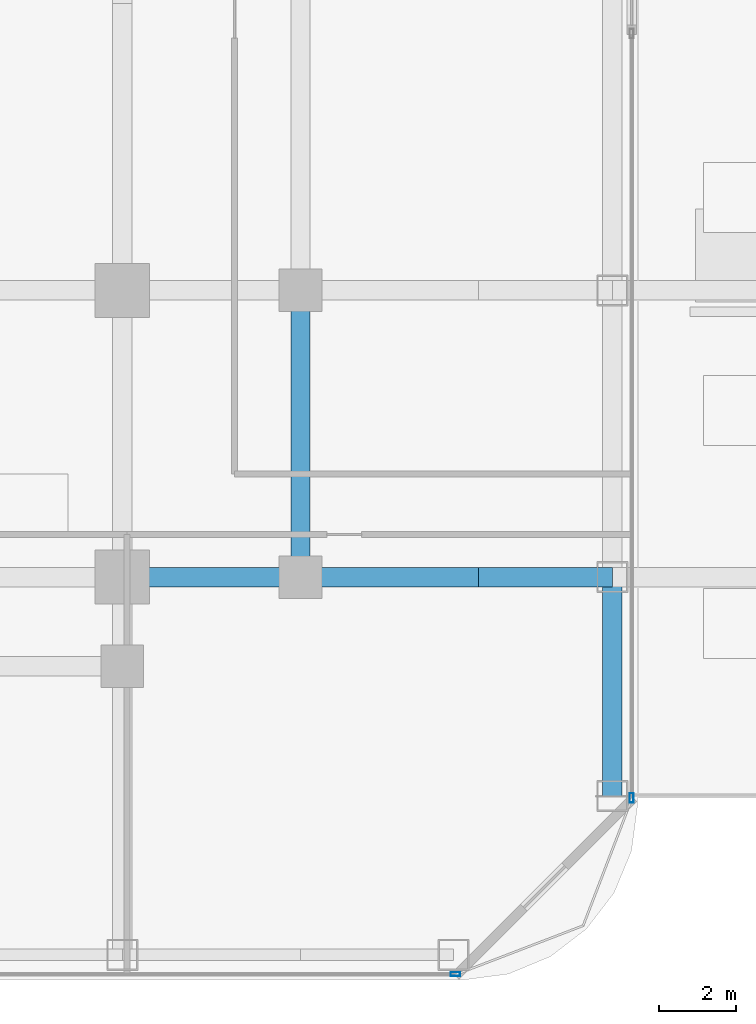
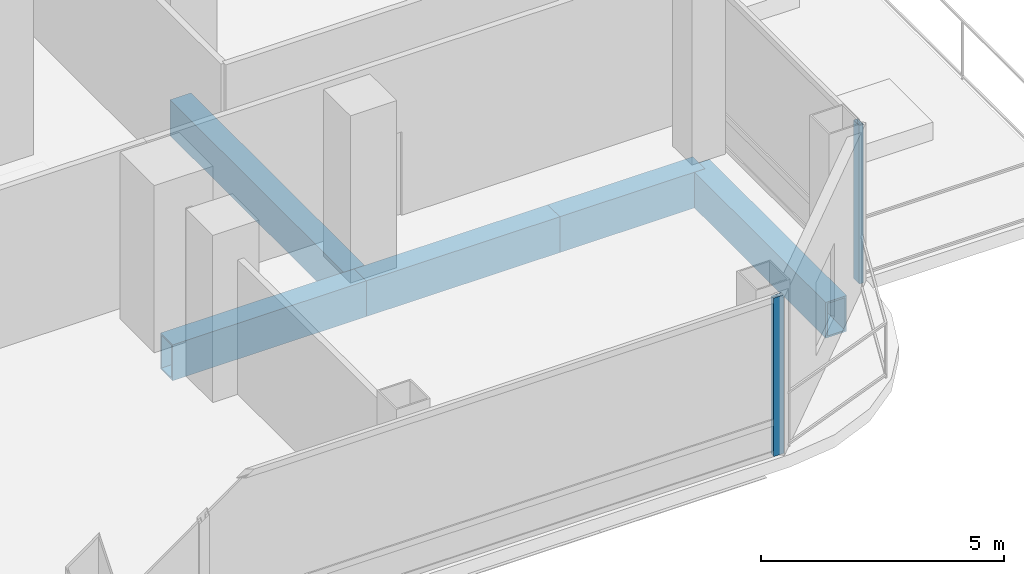
# One storey, part 10 of 29: 5 beams, 2 members, 2 elements without a shape of their own.
"""IFC4 building model written with IfcOpenShell, lengths in metres."""

from ifc_helpers import new_model, si_unit, direction, frame, origin, origin_2d, place, context, subcontext, project, spatial, hollow_rectangle, extrude, material, layer, layer_set, material_profile, profile_set, type_object, element, aggregate, save


model = new_model("IFC4")

# Units and contexts
model_context = context("Model", 3, precision=1e-05, world=origin(), true_north=direction((0.0, 1.0)))
body_context = subcontext(model_context, "Body", "Model", "MODEL_VIEW")
ifc_project = project(units=[si_unit("LENGTHUNIT", "METRE"), si_unit("AREAUNIT", "SQUARE_METRE"), si_unit("VOLUMEUNIT", "CUBIC_METRE"), si_unit("PLANEANGLEUNIT", "RADIAN"), si_unit("MASSUNIT", "GRAM", prefix="KILO")], contexts=[model_context])

# Site, building, storey
site_placement = place(None, origin())
site = spatial("IfcSite", under=ifc_project, at=site_placement, CompositionType="ELEMENT")
building_placement = place(site_placement, origin())
building = spatial("IfcBuilding", under=site, at=building_placement, Name="Khorvyn Point Tower", CompositionType="ELEMENT")
storey_placement = place(building_placement, frame((0.0, 0.0, 26.39990234375)))
storey = spatial("IfcBuildingStorey", under=building, at=storey_placement, Name="L07", CompositionType="ELEMENT", Elevation=26.39990234375)

# Curtain wall, member
ifc_material_1 = material(Name="Anodised aluminium 6063-T6 and laminated Low-E glass", Category="aluminium")
ifc_layer = layer(ifc_material_1, 0.18994140625)
ifc_layer_set = layer_set([ifc_layer], Name="Stick-Built Finned Residential Curtain Wall CW-SYS-02")
curtain_wall_type = type_object("IfcCurtainWallType", Name="Stick-Built Finned Residential Curtain Wall CW-SYS-02", PredefinedType="NOTDEFINED", material=ifc_layer_set)
curtain_wall_1_placement = place(storey_placement, origin())
curtain_wall_1 = element("IfcCurtainWall", 1, at=curtain_wall_1_placement, inside=storey, type_object=curtain_wall_type, Name="Curtain Wall", PredefinedType="NOTDEFINED")
ifc_material_2 = material(Name="Anodised aluminium 6063-T6", Category="aluminium")
ifc_material_profile_1 = material_profile(ifc_material_2, hollow_rectangle(XDim=0.10009765625, YDim=0.239990234375, WallThickness=0.0048828125, at=origin_2d()))
ifc_profile_set_1 = profile_set([ifc_material_profile_1], Name="Anodised aluminium 6063-T6 ALU-MUL-100x240")
member_type = type_object("IfcMemberType", Name="Anodised Aluminium 6063-T6 Mullion ALU-MUL-100x240", PredefinedType="MULLION", material=ifc_profile_set_1)
member_1_placement = place(storey_placement, frame((23.39990234375, -25.050048828125, 0.0), z_axis=(0.0, 0.0, 1.0), x_axis=(0.0, -1.0, 0.0)))
member_1 = element("IfcMember", 2, at=member_1_placement, type_object=member_type, Name="Transom", PredefinedType="MULLION", context=body_context, shape_type="SweptSolid", body=[
    extrude(hollow_rectangle(XDim=0.10009765625, YDim=0.239990234375, WallThickness=0.0048828125, at=origin_2d()), origin(), (0.0, 0.0, 1.0), 3.97998046875),
])
aggregate(curtain_wall_1, [member_1])

curtain_wall_2_placement = place(storey_placement, origin())
curtain_wall_2 = element("IfcCurtainWall", 3, at=curtain_wall_2_placement, inside=storey, type_object=curtain_wall_type, Name="Curtain Wall", PredefinedType="NOTDEFINED")
member_2_placement = place(storey_placement, frame((27.949951171875, -20.5, 0.0), z_axis=(0.0, 0.0, 1.0), x_axis=(1.0, 0.0, 0.0)))
member_2 = element("IfcMember", 4, at=member_2_placement, type_object=member_type, Name="Transom", PredefinedType="MULLION", context=body_context, shape_type="SweptSolid", body=[
    extrude(hollow_rectangle(XDim=0.10009765625, YDim=0.239990234375, WallThickness=0.0048828125, at=origin_2d()), origin(), (0.0, 0.0, 1.0), 3.97998046875),
])
aggregate(curtain_wall_2, [member_2])

# Beams
ifc_material_3 = material(Name="Steel S450", Category="steel")
ifc_material_profile_2 = material_profile(ifc_material_3, hollow_rectangle(XDim=0.5, YDim=0.89990234375, WallThickness=0.0400390625, at=origin_2d()))
ifc_profile_set_2 = profile_set([ifc_material_profile_2], Name="Steel S450 BOX900x500x40")
beam_type = type_object("IfcBeamType", Name="Steel S450 Beam BOX900x500x40", PredefinedType="BEAM", material=ifc_profile_set_2)
beam_1_placement = place(storey_placement, frame((27.449951171875, -20.449951171875, -0.77001953125), z_axis=(0.0, 1.0, 0.0), x_axis=(-1.0, 0.0, 0.0)))
element("IfcBeam", 5, at=beam_1_placement, inside=storey, type_object=beam_type, Name="Beam", PredefinedType="BEAM", context=body_context, shape_type="SweptSolid", body=[
    extrude(hollow_rectangle(XDim=0.5, YDim=0.89990234375, WallThickness=0.0400390625, at=origin_2d()), origin(), (0.0, 0.0, 1.0), 5.64990234375),
])
beam_2_placement = place(storey_placement, frame((14.800048828125, -14.800048828125, -0.77001953125), z_axis=(1.0, 0.0, 0.0), x_axis=(0.0, 1.0, 0.0)))
element("IfcBeam", 6, at=beam_2_placement, inside=storey, type_object=beam_type, Name="L07 Radial Transfer Girder", PredefinedType="BEAM", context=body_context, shape_type="SweptSolid", body=[
    extrude(hollow_rectangle(XDim=0.5, YDim=0.89990234375, WallThickness=0.0400390625, at=origin_2d()), origin(), (0.0, 0.0, 1.0), 4.599853515625),
])
beam_3_placement = place(storey_placement, frame((19.39990234375, -14.800048828125, -0.77001953125), z_axis=(1.0, 0.0, 0.0), x_axis=(0.0, 1.0, 0.0)))
element("IfcBeam", 7, at=beam_3_placement, inside=storey, type_object=beam_type, Name="L07 Radial Transfer Girder", PredefinedType="BEAM", context=body_context, shape_type="SweptSolid", body=[
    extrude(hollow_rectangle(XDim=0.5, YDim=0.89990234375, WallThickness=0.0400390625, at=origin_2d()), origin(), (0.0, 0.0, 1.0), 4.60009765625),
])
beam_4_placement = place(storey_placement, frame((24.0, -14.800048828125, -0.77001953125), z_axis=(1.0, 0.0, 0.0), x_axis=(0.0, 1.0, 0.0)))
element("IfcBeam", 8, at=beam_4_placement, inside=storey, type_object=beam_type, Name="L07 Radial Transfer Girder", PredefinedType="BEAM", context=body_context, shape_type="SweptSolid", body=[
    extrude(hollow_rectangle(XDim=0.5, YDim=0.89990234375, WallThickness=0.0400390625, at=origin_2d()), origin(), (0.0, 0.0, 1.0), 3.449951171875),
])
beam_5_placement = place(storey_placement, frame((19.39990234375, -14.800048828125, -0.77001953125), z_axis=(0.0, 1.0, 0.0), x_axis=(-1.0, 0.0, 0.0)))
element("IfcBeam", 9, at=beam_5_placement, inside=storey, type_object=beam_type, Name="Beam", PredefinedType="BEAM", context=body_context, shape_type="SweptSolid", body=[
    extrude(hollow_rectangle(XDim=0.5, YDim=0.89990234375, WallThickness=0.0400390625, at=origin_2d()), origin(), (0.0, 0.0, 1.0), 7.400146484375),
])

save(model, "model.ifc")
